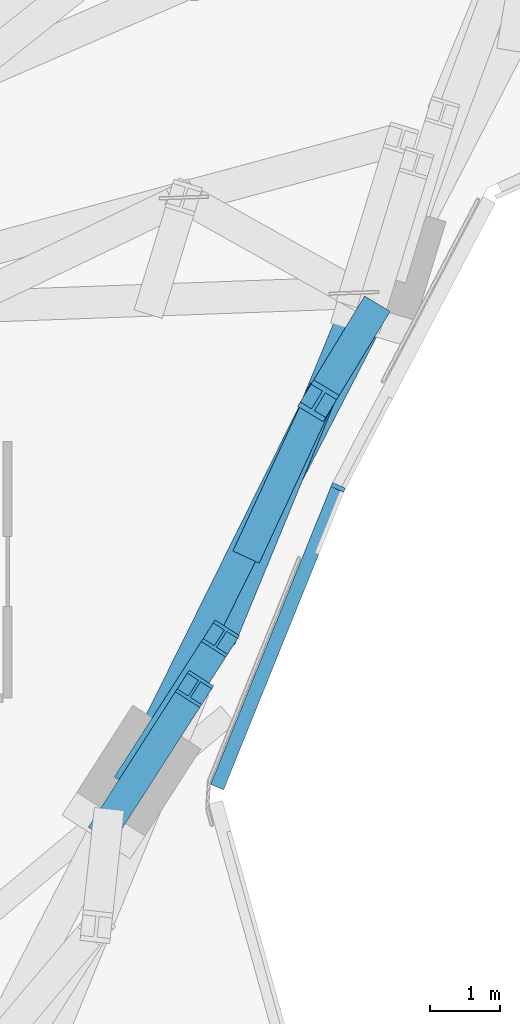
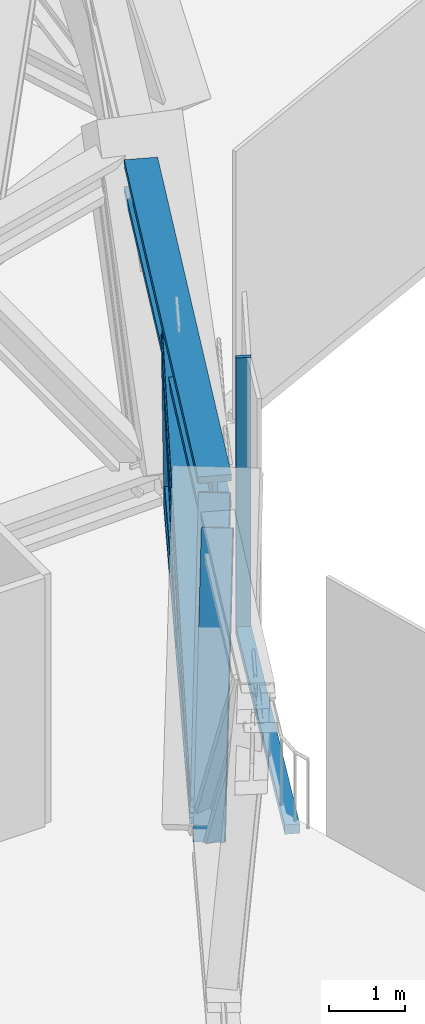
# One storey, part 5 of 31: 9 members, 1 element without a shape of its own.
"""IFC4 building model written with IfcOpenShell, lengths in metres."""

from ifc_helpers import new_model, si_unit, direction, frame, origin, origin_2d, place, context, subcontext, project, spatial, rectangle, i_section, extrude, material, material_profile, profile_set, type_object, element, aggregate, save


model = new_model("IFC4")

# Units and contexts
model_context = context("Model", 3, precision=1e-05, world=origin(), true_north=direction((0.0, 1.0)))
body_context = subcontext(model_context, "Body", "Model", "MODEL_VIEW")
ifc_project = project(units=[si_unit("LENGTHUNIT", "METRE"), si_unit("AREAUNIT", "SQUARE_METRE"), si_unit("VOLUMEUNIT", "CUBIC_METRE"), si_unit("PLANEANGLEUNIT", "RADIAN"), si_unit("MASSUNIT", "GRAM", prefix="KILO")], contexts=[model_context])

# Site, building, storey
site_placement = place(None, origin())
site = spatial("IfcSite", under=ifc_project, at=site_placement, CompositionType="ELEMENT")
building_placement = place(site_placement, origin())
building = spatial("IfcBuilding", under=site, at=building_placement, Name="Orlundy Tower", CompositionType="ELEMENT")
storey_placement = place(building_placement, frame((0.0, 0.0, 271.0)))
storey = spatial("IfcBuildingStorey", under=building, at=storey_placement, Name="L72", CompositionType="ELEMENT", Elevation=271.0)

# Members
ifc_material_1 = material(Name="Steel ASTM A992 Gr 50", Category="steel")
ifc_material_profile_1 = material_profile(ifc_material_1, i_section(OverallWidth=0.4423828125, OverallDepth=0.531494140625, WebThickness=0.06591796875, FlangeThickness=0.105712890625, at=origin_2d()), Name="W14X605")
ifc_profile_set_1 = profile_set([ifc_material_profile_1], Name="Steel ASTM A992 Gr 50")
member_type_1 = type_object("IfcMemberType", Name="BELT TRUSS chord W14X605", PredefinedType="CHORD", material=ifc_profile_set_1)
for number, where, z_axis, x_axis, name in (
    (1, (24.441162109375, -16.728515625, 0.28466796875), (0.458625055511, 0.88862987709, 0.0), (-0.88862987709, 0.458625055511, 0.0), "Belt truss bottom chord BT-10"),
    (2, (25.677001953125, -14.8037109375, 3.71533203125), (0.380946318314, 0.924597156908, 0.0), (-0.924597156908, 0.380946318314, 0.0), "Belt truss top chord BT-10"),
):
    element("IfcMember", number, at=place(storey_placement, frame(where, z_axis=z_axis, x_axis=x_axis)), inside=storey, type_object=member_type_1, Name=name, PredefinedType="CHORD", context=body_context, shape_type="SweptSolid", body=[
        extrude(i_section(OverallWidth=0.4423828125, OverallDepth=0.531494140625, WebThickness=0.06591796875, FlangeThickness=0.105712890625, at=origin_2d()), origin(), (0.0, 0.0, 1.0), 7.310546875),
    ])
ifc_material_2 = material(Name="Steel ASTM A992 Gr 50", Category="steel")
ifc_material_profile_2 = material_profile(ifc_material_2, i_section(OverallWidth=0.42431640625, OverallDepth=0.47412109375, WebThickness=0.0478515625, FlangeThickness=0.0771484375, at=origin_2d()), Name="W14X426")
ifc_profile_set_2 = profile_set([ifc_material_profile_2], Name="Steel ASTM A992 Gr 50")
member_type_2 = type_object("IfcMemberType", Name="BELT TRUSS diagonal W14X426", PredefinedType="BRACE", material=ifc_profile_set_2)
member_1_placement = place(storey_placement, frame((24.441162109375, -16.728515625, 0.28466796875), z_axis=(0.384150310679, 0.775258573298, 0.501400721314), x_axis=(-0.896029781466, 0.44399395348, 0.0)))
element("IfcMember", 3, at=member_1_placement, inside=storey, type_object=member_type_2, Name="Belt truss diagonal BT-10-0", PredefinedType="BRACE", context=body_context, shape_type="SweptSolid", body=[
    extrude(i_section(OverallWidth=0.42431640625, OverallDepth=0.47412109375, WebThickness=0.0478515625, FlangeThickness=0.0771484375, at=origin_2d()), origin(), (0.0, 0.0, 1.0), 6.842041015625),
])
member_2_placement = place(storey_placement, frame((27.069580078125, -11.424072265625, 3.71533203125), z_axis=(0.195597490679, 0.321842584933, -0.926368702064), x_axis=(-0.854560024054, 0.519352640591, 0.0)))
element("IfcMember", 4, at=member_2_placement, inside=storey, type_object=member_type_2, Name="Belt truss diagonal BT-10-1", PredefinedType="BRACE", context=body_context, shape_type="SweptSolid", body=[
    extrude(i_section(OverallWidth=0.42431640625, OverallDepth=0.47412109375, WebThickness=0.0478515625, FlangeThickness=0.0771484375, at=origin_2d()), origin(), (0.0, 0.0, 1.0), 3.703369140625),
])
ifc_material_3 = material(Name="Steel ASTM A992 Gr 50", Category="steel")
ifc_material_profile_3 = material_profile(ifc_material_3, i_section(OverallWidth=0.412109375, OverallDepth=0.434814453125, WebThickness=0.035888671875, FlangeThickness=0.057373046875, at=origin_2d()), Name="W14X311")
ifc_profile_set_3 = profile_set([ifc_material_profile_3], Name="Steel ASTM A992 Gr 50")
member_type_3 = type_object("IfcMemberType", Name="BELT TRUSS post W14X311", PredefinedType="POST", material=ifc_profile_set_3)
for number, where, z_axis, x_axis, name in (
    (5, (24.072021484375, -17.44384765625, 0.28466796875), (0.299658652485, 0.466865930615, 0.832010153076), (-0.841563182512, 0.540158689498, 0.0), "Belt truss post BT-09-2"),
    (6, (24.441162109375, -16.728515625, 0.28466796875), (0.299720828133, 0.466811341169, 0.832018387381), (-0.841483513233, 0.540282793504, 0.0), "Belt truss post BT-10-0"),
):
    element("IfcMember", number, at=place(storey_placement, frame(where, z_axis=z_axis, x_axis=x_axis)), inside=storey, type_object=member_type_3, Name=name, PredefinedType="POST", context=body_context, shape_type="SweptSolid", body=[
        extrude(i_section(OverallWidth=0.412109375, OverallDepth=0.434814453125, WebThickness=0.035888671875, FlangeThickness=0.057373046875, at=origin_2d()), origin(), (0.0, 0.0, 1.0), 4.123291015625),
    ])
member_3_placement = place(storey_placement, frame((26.117431640625, -13.480224609375, 0.28466796875), z_axis=(0.231586064099, 0.50010713637, 0.834422403263), x_axis=(-0.907428868574, 0.420205721615, 0.0)))
element("IfcMember", 7, at=member_3_placement, inside=storey, type_object=member_type_3, Name="Belt truss post BT-10-1", PredefinedType="POST", context=body_context, shape_type="SweptSolid", body=[
    extrude(i_section(OverallWidth=0.412109375, OverallDepth=0.434814453125, WebThickness=0.035888671875, FlangeThickness=0.057373046875, at=origin_2d()), origin(), (0.0, 0.0, 1.0), 4.111328125),
])

# Curtain wall, members
ifc_material_4 = material(Name="Aluminium bronze anodised", Category="aluminium")
curtain_wall_type = type_object("IfcCurtainWallType", Name="CW4 wall", PredefinedType="NOTDEFINED", material=ifc_material_4)
curtain_wall_placement = place(storey_placement, origin())
curtain_wall = element("IfcCurtainWall", 8, at=curtain_wall_placement, inside=storey, type_object=curtain_wall_type, Name="CW4 run 031", PredefinedType="NOTDEFINED")
ifc_material_5 = material(Name="Aluminium bronze anodised", Category="aluminium")
ifc_material_profile_4 = material_profile(ifc_material_5, rectangle(XDim=0.199951171875, YDim=0.06005859375, at=origin_2d()), Name="CW4 mullion 60x200")
ifc_profile_set_4 = profile_set([ifc_material_profile_4], Name="Aluminium bronze anodised")
member_type_4 = type_object("IfcMemberType", Name="CW4 mullion 60x200", PredefinedType="MULLION", material=ifc_profile_set_4)
member_4_placement = place(storey_placement, frame((27.350830078125, -12.655029296875, -0.449951171875), z_axis=(0.0, 0.0, 1.0), x_axis=(0.907538680596, -0.419968502655, 0.0)))
member_4 = element("IfcMember", 9, at=member_4_placement, type_object=member_type_4, Name="CW4 mullion 44", PredefinedType="MULLION", context=body_context, shape_type="SweptSolid", body=[
    extrude(rectangle(XDim=0.199951171875, YDim=0.06005859375, at=origin_2d()), origin(), (0.0, 0.0, 1.0), 4.449951171875),
])
ifc_material_6 = material(Name="Aluminium bronze anodised", Category="aluminium")
ifc_material_profile_5 = material_profile(ifc_material_6, rectangle(XDim=0.199951171875, YDim=0.14990234375, at=origin_2d()), Name="CW4 transom 200x150")
ifc_profile_set_5 = profile_set([ifc_material_profile_5], Name="Aluminium bronze anodised")
member_type_5 = type_object("IfcMemberType", Name="CW4 transom 200x150", PredefinedType="USERDEFINED", material=ifc_profile_set_5)
member_5_placement = place(storey_placement, frame((27.339599609375, -12.682861328125, -0.375), z_axis=(-0.374541739565, -0.927210054585, 0.0), x_axis=(0.927210054585, -0.374541739565, 0.0)))
member_5 = element("IfcMember", 10, at=member_5_placement, type_object=member_type_5, Name="CW4 transom", ObjectType="TRANSOM", PredefinedType="USERDEFINED", context=body_context, shape_type="SweptSolid", body=[
    extrude(rectangle(XDim=0.199951171875, YDim=0.14990234375, at=origin_2d()), origin(), (0.0, 0.0, 1.0), 4.5654296875),
])
aggregate(curtain_wall, [member_4, member_5])

save(model, "model.ifc")
